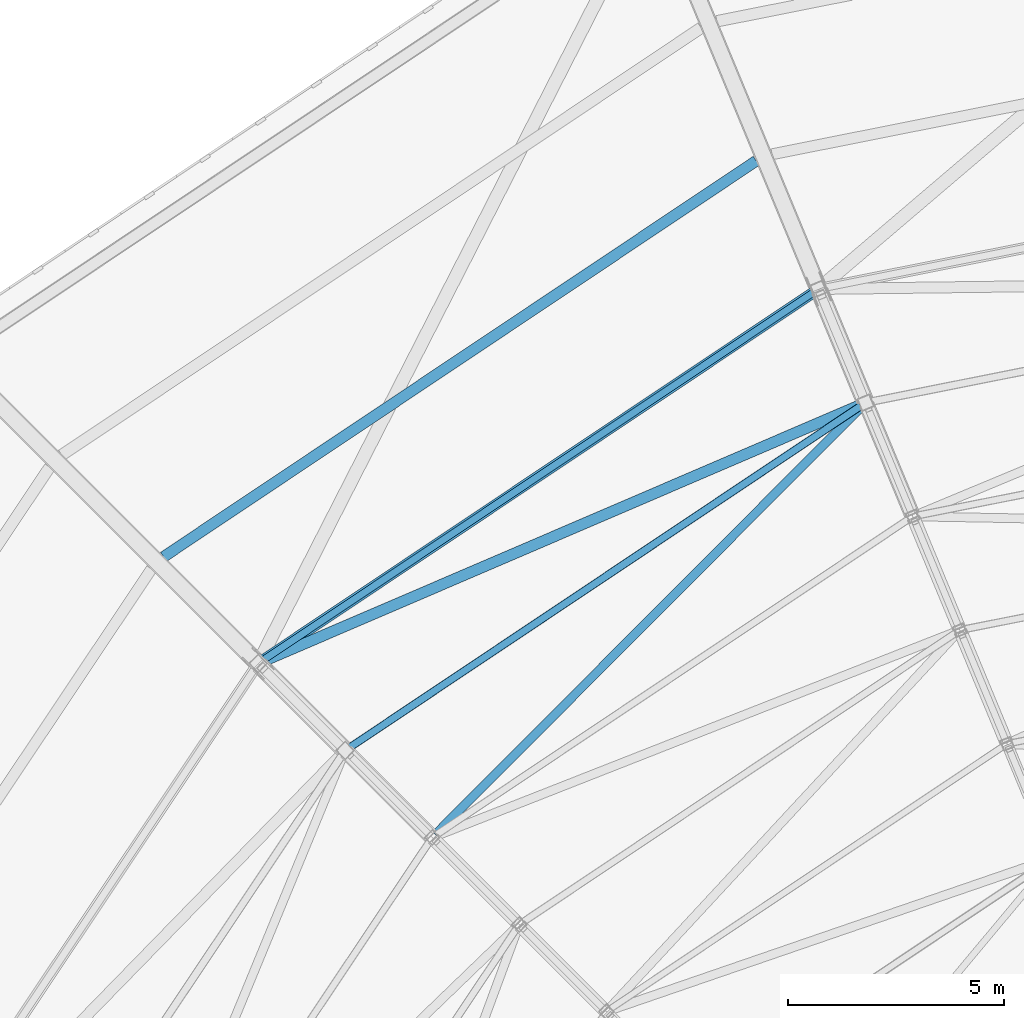
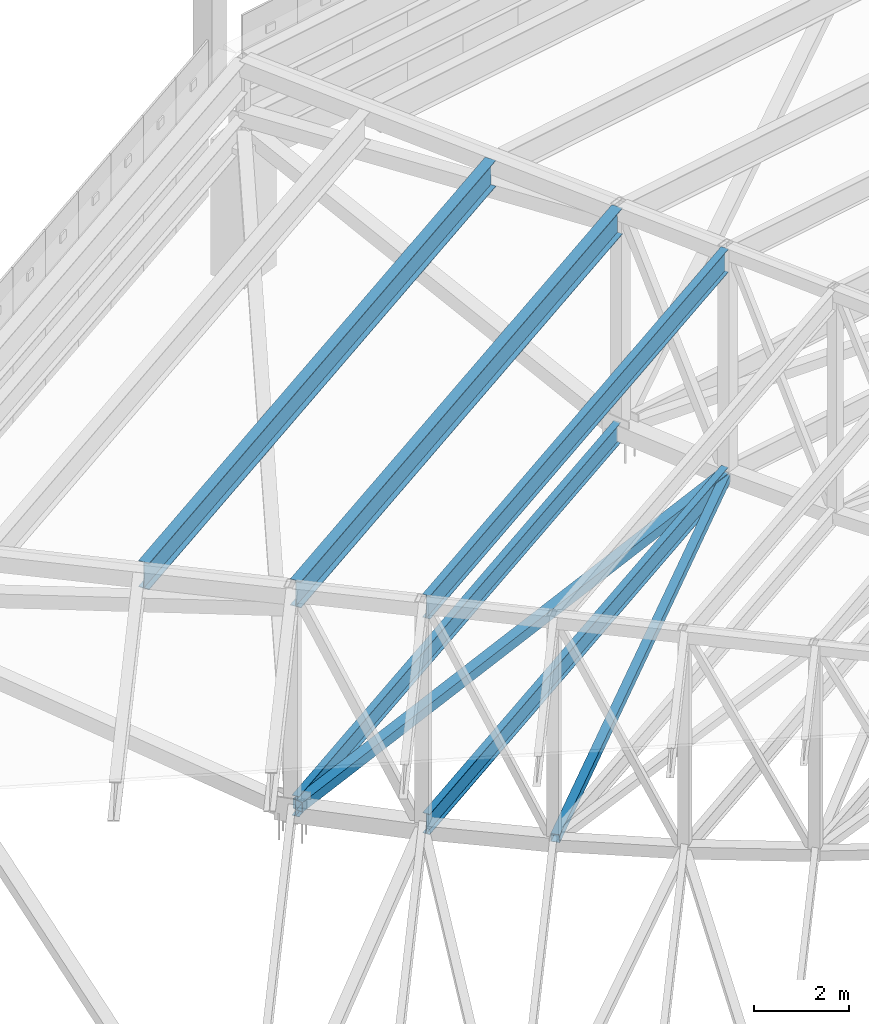
# One storey, part 71 of 278: 7 members.
"""IFC4 building model written with IfcOpenShell, lengths in metres."""

from ifc_helpers import new_model, si_unit, direction, frame, origin, origin_2d, place, context, subcontext, project, spatial, hollow_rectangle, i_section, extrude, material, material_profile, profile_set, type_object, element, save


model = new_model("IFC4")

# Units and contexts
model_context = context("Model", 3, precision=1e-05, world=origin(), true_north=direction((0.0, 1.0)))
body_context = subcontext(model_context, "Body", "Model", "MODEL_VIEW")
ifc_project = project(units=[si_unit("LENGTHUNIT", "METRE"), si_unit("AREAUNIT", "SQUARE_METRE"), si_unit("VOLUMEUNIT", "CUBIC_METRE"), si_unit("PLANEANGLEUNIT", "RADIAN"), si_unit("MASSUNIT", "GRAM", prefix="KILO")], contexts=[model_context])

# Site, building, storey
site_placement = place(None, origin())
site = spatial("IfcSite", under=ifc_project, at=site_placement, CompositionType="ELEMENT")
building_placement = place(site_placement, origin())
building = spatial("IfcBuilding", under=site, at=building_placement, Name="Ogive Plaza Stadium", CompositionType="ELEMENT")
storey_placement = place(building_placement, frame((0.0, 0.0, 29.0)))
storey = spatial("IfcBuildingStorey", under=building, at=storey_placement, Name="Roof", CompositionType="ELEMENT", Elevation=29.0)

# Members
ifc_material_1 = material(Name="Steel ASTM A500 Grade C", Category="steel")
ifc_material_profile_1 = material_profile(ifc_material_1, hollow_rectangle(XDim=0.25390625, YDim=0.25390625, WallThickness=0.0087890625, at=origin_2d()), Name="HSS10X10X3/8")
ifc_profile_set_1 = profile_set([ifc_material_profile_1], Name="Steel ASTM A500 Grade C")
member_type_1 = type_object("IfcMemberType", Name="Roof plan brace HSS10X10X3/8", PredefinedType="BRACE", material=ifc_profile_set_1)
member_1_placement = place(storey_placement, frame((-48.33056640625, 86.773193359375, 0.266845703125), z_axis=(-0.918928857657, -0.394400964926, -0.004199217933), x_axis=(0.394404442293, -0.918936959698, 0.0)))
element("IfcMember", 1, at=member_1_placement, inside=storey, type_object=member_type_1, Name="ROOF BRACE B30 10", PredefinedType="BRACE", context=body_context, shape_type="SweptSolid", body=[
    extrude(hollow_rectangle(XDim=0.25390625, YDim=0.25390625, WallThickness=0.0087890625, at=origin_2d()), origin(), (0.0, 0.0, 1.0), 15.0),
])
ifc_material_2 = material(Name="Steel ASTM A500 Grade C", Category="steel")
ifc_material_profile_2 = material_profile(ifc_material_2, hollow_rectangle(XDim=0.203125, YDim=0.203125, WallThickness=0.0087890625, at=origin_2d()), Name="HSS8X8X3/8")
ifc_profile_set_2 = profile_set([ifc_material_profile_2], Name="Steel ASTM A500 Grade C")
member_type_2 = type_object("IfcMemberType", Name="Roof plan brace HSS8X8X3/8", PredefinedType="BRACE", material=ifc_profile_set_2)
member_2_placement = place(storey_placement, frame((-58.18505859375, 76.822509765625, 0.43359375), z_axis=(0.705953861868, 0.708160077122, -0.011766481353), x_axis=(-0.708209104624, 0.706002736629, 0.0)))
element("IfcMember", 2, at=member_2_placement, inside=storey, type_object=member_type_2, Name="ROOF BRACE B30 9", PredefinedType="BRACE", context=body_context, shape_type="SweptSolid", body=[
    extrude(hollow_rectangle(XDim=0.203125, YDim=0.203125, WallThickness=0.0087890625, at=origin_2d()), origin(), (0.0, 0.0, 1.0), 13.943115234375),
])
ifc_material_3 = material(Name="Steel ASTM A992 Grade 50", Category="steel")
ifc_material_profile_3 = material_profile(ifc_material_3, i_section(OverallWidth=0.1650390625, OverallDepth=0.524658203125, WebThickness=0.0087890625, FlangeThickness=0.011474609375, at=origin_2d()), Name="W21X44")
ifc_profile_set_3 = profile_set([ifc_material_profile_3], Name="Steel ASTM A992 Grade 50")
member_type_3 = type_object("IfcMemberType", Name="Roof plan strut W21X44", PredefinedType="STRUT", material=ifc_profile_set_3)
member_3_placement = place(storey_placement, frame((-60.151123046875, 78.847900390625, 0.267333984375), z_axis=(0.831468390799, 0.555572061125, 0.0), x_axis=(-0.555572061125, 0.831468390799, 0.0)))
element("IfcMember", 3, at=member_3_placement, inside=storey, type_object=member_type_3, Name="ROOF STRUT B30 9", PredefinedType="STRUT", context=body_context, shape_type="SweptSolid", body=[
    extrude(i_section(OverallWidth=0.1650390625, OverallDepth=0.524658203125, WebThickness=0.0087890625, FlangeThickness=0.011474609375, at=origin_2d()), origin(), (0.0, 0.0, 1.0), 14.21142578125),
])
member_4_placement = place(storey_placement, frame((-62.166259765625, 80.863037109375, 0.203125), z_axis=(0.831464008334, 0.55557861986, 0.0), x_axis=(-0.55557861986, 0.831464008334, 0.0)))
element("IfcMember", 4, at=member_4_placement, inside=storey, type_object=member_type_3, Name="ROOF STRUT B30 10", PredefinedType="STRUT", context=body_context, shape_type="SweptSolid", body=[
    extrude(i_section(OverallWidth=0.1650390625, OverallDepth=0.524658203125, WebThickness=0.0087890625, FlangeThickness=0.011474609375, at=origin_2d()), origin(), (0.0, 0.0, 1.0), 15.323486328125),
])
ifc_material_4 = material(Name="Steel ASTM A992 Grade 50", Category="steel")
ifc_material_profile_4 = material_profile(ifc_material_4, i_section(OverallWidth=0.177978515625, OverallDepth=0.5986328125, WebThickness=0.010009765625, FlangeThickness=0.012939453125, at=origin_2d()), Name="W24X55")
ifc_profile_set_4 = profile_set([ifc_material_profile_4], Name="Steel ASTM A992 Grade 50")
member_type_4 = type_object("IfcMemberType", Name="Roof purlin W24X55", PredefinedType="PURLIN", material=ifc_profile_set_4)
member_5_placement = place(storey_placement, frame((-60.150146484375, 78.848388671875, 5.84326171875), z_axis=(0.831465648913, 0.555576164606, 0.0), x_axis=(-0.555576164606, 0.831465648913, 0.0)))
element("IfcMember", 5, at=member_5_placement, inside=storey, type_object=member_type_4, Name="ROOF PURLIN B30 9", PredefinedType="PURLIN", context=body_context, shape_type="SweptSolid", body=[
    extrude(i_section(OverallWidth=0.177978515625, OverallDepth=0.5986328125, WebThickness=0.010009765625, FlangeThickness=0.012939453125, at=origin_2d()), origin(), (0.0, 0.0, 1.0), 14.209228515625),
])
ifc_material_5 = material(Name="Steel ASTM A992 Grade 50", Category="steel")
ifc_material_profile_5 = material_profile(ifc_material_5, i_section(OverallWidth=0.2529296875, OverallDepth=0.678466796875, WebThickness=0.01171875, FlangeThickness=0.016357421875, at=origin_2d()), Name="W27X84")
ifc_profile_set_5 = profile_set([ifc_material_profile_5], Name="Steel ASTM A992 Grade 50")
member_type_5 = type_object("IfcMemberType", Name="Roof purlin W27X84", PredefinedType="PURLIN", material=ifc_profile_set_5)
member_6_placement = place(storey_placement, frame((-62.1591796875, 80.867919921875, 5.660888671875), z_axis=(0.831468256832, 0.55557226162, 0.0), x_axis=(-0.55557226162, 0.831468256832, 0.0)))
element("IfcMember", 6, at=member_6_placement, inside=storey, type_object=member_type_5, Name="ROOF PURLIN B30 10", PredefinedType="PURLIN", context=body_context, shape_type="SweptSolid", body=[
    extrude(i_section(OverallWidth=0.2529296875, OverallDepth=0.678466796875, WebThickness=0.01171875, FlangeThickness=0.016357421875, at=origin_2d()), origin(), (0.0, 0.0, 1.0), 15.30615234375),
])
member_7_placement = place(storey_placement, frame((-64.47314453125, 83.253662109375, 5.494140625), z_axis=(0.831469477981, 0.555570434046, 0.0), x_axis=(-0.555570434046, 0.831469477981, 0.0)))
element("IfcMember", 7, at=member_7_placement, inside=storey, type_object=member_type_5, Name="ROOF PURLIN B30 11", PredefinedType="PURLIN", context=body_context, shape_type="SweptSolid", body=[
    extrude(i_section(OverallWidth=0.2529296875, OverallDepth=0.678466796875, WebThickness=0.01171875, FlangeThickness=0.016357421875, at=origin_2d()), origin(), (0.0, 0.0, 1.0), 16.503173828125),
])

save(model, "model.ifc")
